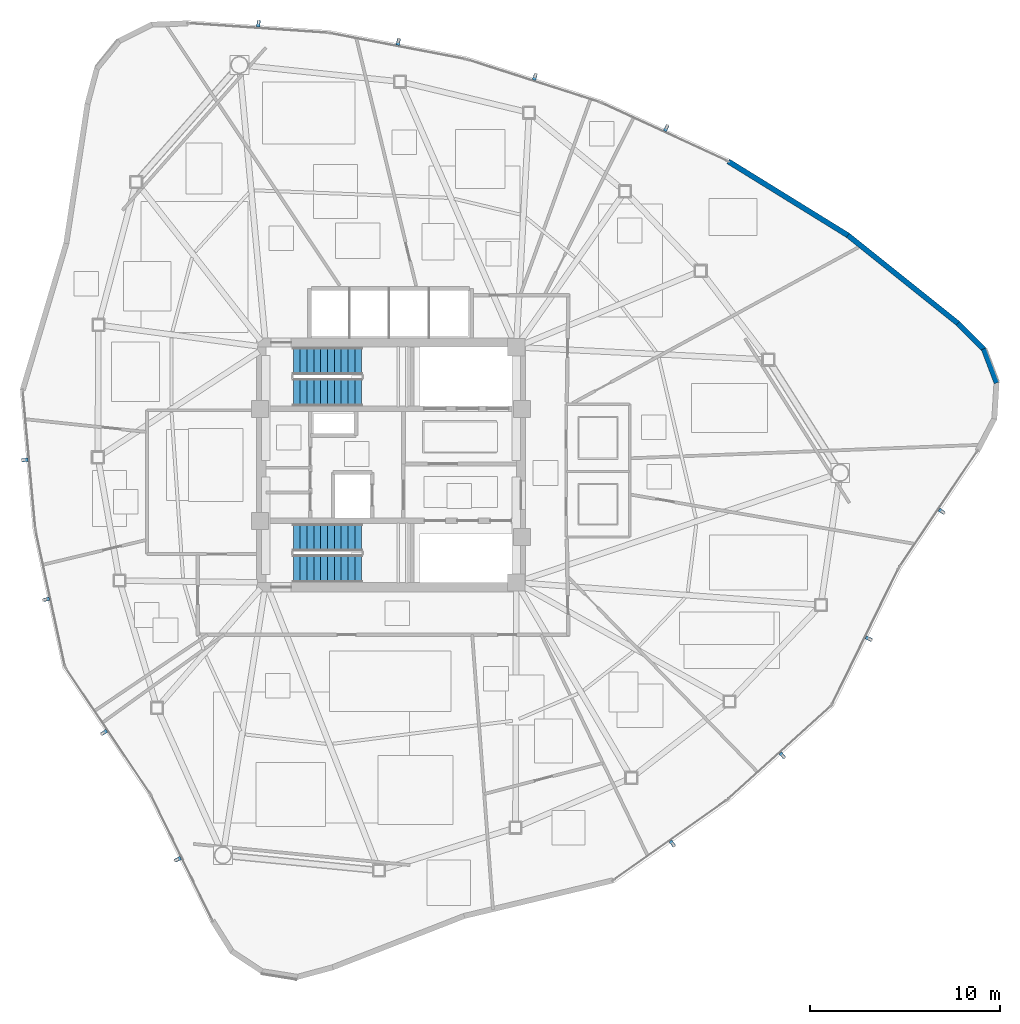
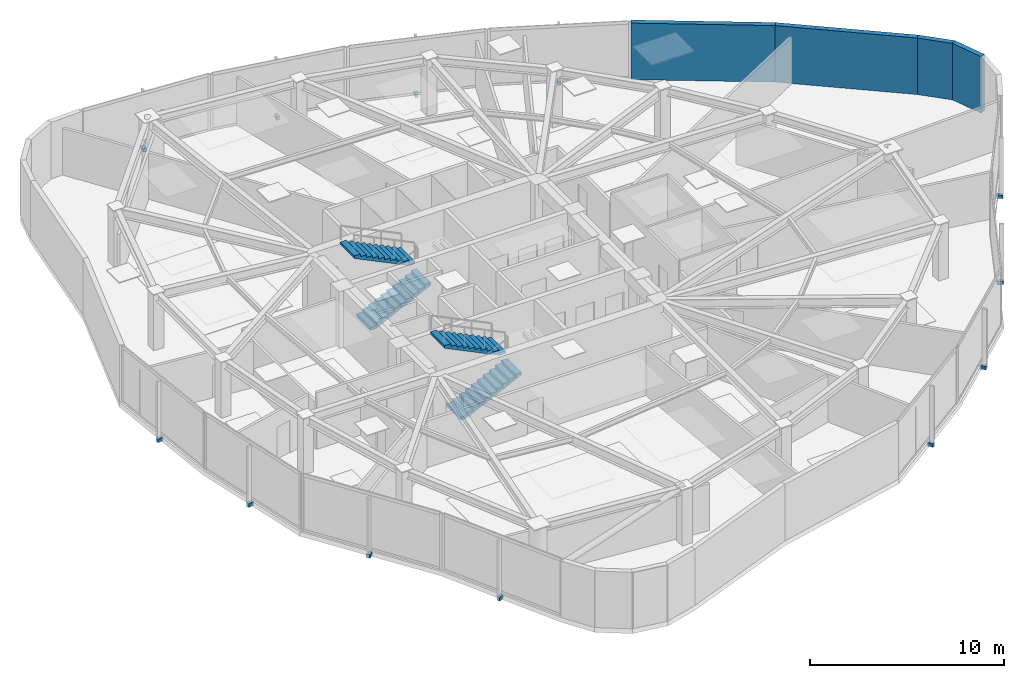
# One storey, part 13 of 17: 12 discrete accessories, 4 stair flights, 4 walls, 2 elements without a shape of their own.
"""IFC4 building model written with IfcOpenShell, lengths in metres."""

from ifc_helpers import new_model, si_unit, direction, frame, frame_2d, origin, origin_2d, place, context, subcontext, project, spatial, polyline, rectangle, outline, extrude, source, transform, mapped, material, layer, layer_set, type_object, type_shapes, element, aggregate, save


model = new_model("IFC4")

# Units and contexts
model_context = context("Model", 3, precision=1e-05, world=origin(), true_north=direction((0.0, 1.0)))
body_context = subcontext(model_context, "Body", "Model", "MODEL_VIEW")
ifc_project = project(units=[si_unit("LENGTHUNIT", "METRE"), si_unit("AREAUNIT", "SQUARE_METRE"), si_unit("VOLUMEUNIT", "CUBIC_METRE"), si_unit("PLANEANGLEUNIT", "RADIAN"), si_unit("MASSUNIT", "GRAM", prefix="KILO")], contexts=[model_context])

# Site, building, storey
site_placement = place(None, origin())
site = spatial("IfcSite", under=ifc_project, at=site_placement, CompositionType="ELEMENT")
building_placement = place(site_placement, origin())
building = spatial("IfcBuilding", under=site, at=building_placement, Name="Tavelor Broadcast Tower", CompositionType="ELEMENT")
storey_placement = place(building_placement, frame((0.0, 0.0, 196.449951171875)))
storey = spatial("IfcBuildingStorey", under=building, at=storey_placement, Name="L47", CompositionType="ELEMENT", Elevation=196.449951171875)

# Walls
ifc_material_1 = material(Name="Precast Concrete C40/50", Category="concrete")
ifc_layer = layer(ifc_material_1, 0.280029296875)
ifc_layer_set = layer_set([ifc_layer], Name="Precast Concrete C40/50")
wall_type = type_object("IfcWallType", Name="Insulated Precast Terracotta Facade Wall 280 mm", PredefinedType="STANDARD", material=ifc_layer_set)
wall_1_placement = place(storey_placement, frame((81.926513671875, 49.319580078125, 0.0), z_axis=(0.0, 0.0, 1.0), x_axis=(-0.355889766288, 0.934527941932, 0.0)))
element("IfcWall", 1, at=wall_1_placement, inside=storey, type_object=wall_type, Name="L47 Rounded Corner Structural Cladding Pier 23", PredefinedType="STANDARD", context=body_context, shape_type="SweptSolid", body=[
    extrude(rectangle(XDim=1.923583984375, YDim=0.280029296875, at=frame_2d((0.9619140625, 0.0))), origin(), (0.0, 0.0, 1.0), 3.550048828125),
])
wall_2_placement = place(storey_placement, frame((81.2578125, 51.092529296875, 0.0), z_axis=(0.0, 0.0, 1.0), x_axis=(-0.708861069534, 0.70534812972, 0.0)))
element("IfcWall", 2, at=wall_2_placement, inside=storey, type_object=wall_type, Name="L47 Rounded Corner Structural Cladding Pier 24", PredefinedType="STANDARD", context=body_context, shape_type="SweptSolid", body=[
    extrude(rectangle(XDim=1.946044921875, YDim=0.280029296875, at=frame_2d((0.97314453125, 0.0))), origin(), (0.0, 0.0, 1.0), 3.550048828125),
])
wall_3_placement = place(storey_placement, frame((79.900634765625, 52.445068359375, 0.0), z_axis=(0.0, 0.0, 1.0), x_axis=(-0.780676965022, 0.624934777624, 0.0)))
element("IfcWall", 3, at=wall_3_placement, inside=storey, type_object=wall_type, Name="L47 Rounded Corner Structural Cladding Pier 25", PredefinedType="STANDARD", context=body_context, shape_type="SweptSolid", body=[
    extrude(rectangle(XDim=7.45068359375, YDim=0.280029296875, at=frame_2d((3.725341796875, 0.0))), origin(), (0.0, 0.0, 1.0), 3.550048828125),
])
wall_4_placement = place(storey_placement, frame((74.1083984375, 57.083984375, 0.0), z_axis=(0.0, 0.0, 1.0), x_axis=(-0.850576953838, 0.525850592468, 0.0)))
element("IfcWall", 4, at=wall_4_placement, inside=storey, type_object=wall_type, Name="L47 Rounded Corner Structural Cladding Pier 26", PredefinedType="STANDARD", context=body_context, shape_type="SweptSolid", body=[
    extrude(rectangle(XDim=7.438720703125, YDim=0.280029296875, at=frame_2d((3.71923828125, 0.0))), origin(), (0.0, 0.0, 1.0), 3.550048828125),
])

# Stair, stair flights
ifc_material_2 = material(Name="Concrete C40/50", Category="concrete")
stair_type = type_object("IfcStairType", Name="Reinforced Concrete Protected Dogleg Stair 1450 mm", PredefinedType="HALF_TURN_STAIR", material=ifc_material_2)
stair_1_placement = place(storey_placement, origin())
stair_1 = element("IfcStair", 5, at=stair_1_placement, inside=storey, type_object=stair_type, Name="L47 Protected Core Exit Stair ST1", PredefinedType="HALF_TURN_STAIR")
stair_flight_type = type_object("IfcStairFlightType", Name="Reinforced Concrete Stair Flight 1450 mm", PredefinedType="STRAIGHT", material=ifc_material_2)
stair_flight_1_placement = place(storey_placement, frame((44.85009765625, 48.824951171875, 0.0), z_axis=(0.0, 0.0, 1.0), x_axis=(1.0, 0.0, 0.0)))
stair_flight_1 = element("IfcStairFlight", 6, at=stair_flight_1_placement, type_object=stair_flight_type, Name="ST1 flight 1", NumberOfRisers=11, NumberOfTreads=10, PredefinedType="STRAIGHT", RiserHeight=0.175, TreadLength=0.36, context=body_context, shape_type="SweptSolid", body=[
    extrude(outline(polyline([(0.0, 0.0), (0.0, 0.175048828125), (0.360107421875, 0.175048828125), (0.360107421875, 0.35009765625), (0.719970703125, 0.35009765625), (0.719970703125, 0.52490234375), (1.080078125, 0.52490234375), (1.080078125, 0.699951171875), (1.43994140625, 0.699951171875), (1.43994140625, 0.875), (1.800048828125, 0.875), (1.800048828125, 1.050048828125), (2.159912109375, 1.050048828125), (2.159912109375, 1.22509765625), (2.52001953125, 1.22509765625), (2.52001953125, 1.39990234375), (2.8798828125, 1.39990234375), (2.8798828125, 1.574951171875), (3.239990234375, 1.574951171875), (3.239990234375, 1.75), (3.60009765625, 1.75), (3.60009765625, 1.925048828125), (3.60009765625, 1.583251953125), (0.3427734375, 0.0), (0.0, 0.0)])), frame((0.0, 0.72509765625, 0.0), z_axis=(0.0, -1.0, 0.0), x_axis=(1.0, 0.0, 0.0)), (0.0, 0.0, 1.0), 1.449951171875),
])
stair_flight_2_placement = place(storey_placement, frame((48.449951171875, 50.47509765625, 1.925048828125), z_axis=(0.0, 0.0, 1.0), x_axis=(-1.0, 0.0, 0.0)))
stair_flight_2 = element("IfcStairFlight", 7, at=stair_flight_2_placement, type_object=stair_flight_type, Name="ST1 flight 2", NumberOfRisers=11, NumberOfTreads=10, PredefinedType="STRAIGHT", RiserHeight=0.175, TreadLength=0.36, context=body_context, shape_type="SweptSolid", body=[
    extrude(outline(polyline([(0.0, 0.0), (0.0, 0.175048828125), (0.360107421875, 0.175048828125), (0.360107421875, 0.35009765625), (0.719970703125, 0.35009765625), (0.719970703125, 0.52490234375), (1.080078125, 0.52490234375), (1.080078125, 0.699951171875), (1.43994140625, 0.699951171875), (1.43994140625, 0.875), (1.800048828125, 0.875), (1.800048828125, 1.050048828125), (2.159912109375, 1.050048828125), (2.159912109375, 1.22509765625), (2.52001953125, 1.22509765625), (2.52001953125, 1.39990234375), (2.8798828125, 1.39990234375), (2.8798828125, 1.574951171875), (3.239990234375, 1.574951171875), (3.239990234375, 1.75), (3.60009765625, 1.75), (3.60009765625, 1.925048828125), (3.60009765625, 1.583251953125), (0.3427734375, 0.0), (0.0, 0.0)])), frame((0.0, 0.72509765625, 0.0), z_axis=(0.0, -1.0, 0.0), x_axis=(1.0, 0.0, 0.0)), (0.0, 0.0, 1.0), 1.449951171875),
])
aggregate(stair_1, [stair_flight_1, stair_flight_2])

stair_2_placement = place(storey_placement, origin())
stair_2 = element("IfcStair", 8, at=stair_2_placement, inside=storey, type_object=stair_type, Name="L47 Protected Core Exit Stair ST2", PredefinedType="HALF_TURN_STAIR")
stair_flight_3_placement = place(storey_placement, frame((44.85009765625, 39.52490234375, 0.0), z_axis=(0.0, 0.0, 1.0), x_axis=(1.0, 0.0, 0.0)))
stair_flight_3 = element("IfcStairFlight", 9, at=stair_flight_3_placement, type_object=stair_flight_type, Name="ST2 flight 1", NumberOfRisers=11, NumberOfTreads=10, PredefinedType="STRAIGHT", RiserHeight=0.175, TreadLength=0.36, context=body_context, shape_type="SweptSolid", body=[
    extrude(outline(polyline([(0.0, 0.0), (0.0, 0.175048828125), (0.360107421875, 0.175048828125), (0.360107421875, 0.35009765625), (0.719970703125, 0.35009765625), (0.719970703125, 0.52490234375), (1.080078125, 0.52490234375), (1.080078125, 0.699951171875), (1.43994140625, 0.699951171875), (1.43994140625, 0.875), (1.800048828125, 0.875), (1.800048828125, 1.050048828125), (2.159912109375, 1.050048828125), (2.159912109375, 1.22509765625), (2.52001953125, 1.22509765625), (2.52001953125, 1.39990234375), (2.8798828125, 1.39990234375), (2.8798828125, 1.574951171875), (3.239990234375, 1.574951171875), (3.239990234375, 1.75), (3.60009765625, 1.75), (3.60009765625, 1.925048828125), (3.60009765625, 1.583251953125), (0.3427734375, 0.0), (0.0, 0.0)])), frame((0.0, 0.72509765625, 0.0), z_axis=(0.0, -1.0, 0.0), x_axis=(1.0, 0.0, 0.0)), (0.0, 0.0, 1.0), 1.449951171875),
])
stair_flight_4_placement = place(storey_placement, frame((48.449951171875, 41.175048828125, 1.925048828125), z_axis=(0.0, 0.0, 1.0), x_axis=(-1.0, 0.0, 0.0)))
stair_flight_4 = element("IfcStairFlight", 10, at=stair_flight_4_placement, type_object=stair_flight_type, Name="ST2 flight 2", NumberOfRisers=11, NumberOfTreads=10, PredefinedType="STRAIGHT", RiserHeight=0.175, TreadLength=0.36, context=body_context, shape_type="SweptSolid", body=[
    extrude(outline(polyline([(0.0, 0.0), (0.0, 0.175048828125), (0.360107421875, 0.175048828125), (0.360107421875, 0.35009765625), (0.719970703125, 0.35009765625), (0.719970703125, 0.52490234375), (1.080078125, 0.52490234375), (1.080078125, 0.699951171875), (1.43994140625, 0.699951171875), (1.43994140625, 0.875), (1.800048828125, 0.875), (1.800048828125, 1.050048828125), (2.159912109375, 1.050048828125), (2.159912109375, 1.22509765625), (2.52001953125, 1.22509765625), (2.52001953125, 1.39990234375), (2.8798828125, 1.39990234375), (2.8798828125, 1.574951171875), (3.239990234375, 1.574951171875), (3.239990234375, 1.75), (3.60009765625, 1.75), (3.60009765625, 1.925048828125), (3.60009765625, 1.583251953125), (0.3427734375, 0.0), (0.0, 0.0)])), frame((0.0, 0.72509765625, 0.0), z_axis=(0.0, -1.0, 0.0), x_axis=(1.0, 0.0, 0.0)), (0.0, 0.0, 1.0), 1.449951171875),
])
aggregate(stair_2, [stair_flight_3, stair_flight_4])

# Discrete accessories
ifc_material_3 = material(Name="Steel S355", Category="steel")
discrete_accessory_type = type_object("IfcDiscreteAccessoryType", Name="Stainless Baguette Outrigger Support Bracket 260x180", PredefinedType="BRACKET", material=ifc_material_3)
shared_shape = source(origin(), body_context, "Body", "SweptSolid", [
    extrude(rectangle(XDim=0.179931640625, YDim=0.340087890625, at=origin_2d()), origin(), (0.0, 0.0, 1.0), 0.216064453125),
])
type_shapes(discrete_accessory_type, [shared_shape])
for number, where, z_axis, x_axis, name in (
    (11, (30.69970703125, 45.25537109375, -0.2578125), (0.0, 0.0, 1.0), (0.090980203904, -0.995852701205, 0.0), "L47 Baguette Outrigger Bracket 493"),
    (12, (31.823974609375, 37.908203125, -0.2578125), (0.0, 0.0, 1.0), (0.210812993745, -0.977526409704, 0.0), "L47 Baguette Outrigger Bracket 494"),
    (13, (34.876220703125, 30.891357421875, -0.2578125), (0.0, 0.0, 1.0), (0.558179625922, -0.829720136676, 0.0), "L47 Baguette Outrigger Bracket 495"),
    (14, (38.761474609375, 24.206787109375, -0.2578125), (0.0, 0.0, 1.0), (0.4396256723, -0.898181088787, 0.0), "L47 Baguette Outrigger Bracket 496"),
    (15, (64.828857421875, 25.0400390625, -0.2578125), (0.0, 0.0, 1.0), (0.816943635719, 0.576717518425, 0.0), "L47 Baguette Outrigger Bracket 497"),
    (16, (70.629638671875, 29.687255859375, -0.2578125), (0.0, 0.0, 1.0), (0.741039025868, 0.671461958818, 0.0), "L47 Baguette Outrigger Bracket 498"),
    (17, (75.180419921875, 35.839111328125, -0.2578125), (0.0, 0.0, 1.0), (0.439468903432, 0.898257804261, 0.0), "L47 Baguette Outrigger Bracket 499"),
    (18, (79.026611328125, 42.546142578125, -0.2578125), (0.0, 0.0, 1.0), (0.558034803938, 0.829817544761, 0.0), "L47 Baguette Outrigger Bracket 500"),
    (19, (64.508544921875, 62.747802734375, -0.2578125), (0.0, 0.0, 1.0), (-0.907996978683, 0.418976713794, 0.0), "L47 Baguette Outrigger Bracket 501"),
    (20, (57.58349609375, 65.447998046875, -0.2578125), (0.0, 0.0, 1.0), (-0.951969200546, 0.306193796821, 0.0), "L47 Baguette Outrigger Bracket 502"),
    (21, (50.382568359375, 67.2900390625, -0.2578125), (0.0, 0.0, 1.0), (-0.98205758823, 0.188581264713, 0.0), "L47 Baguette Outrigger Bracket 503"),
    (22, (43.01171875, 68.247314453125, -0.2578125), (0.0, 0.0, 1.0), (-0.997660476238, 0.068363544026, 0.0), "L47 Baguette Outrigger Bracket 504"),
):
    element("IfcDiscreteAccessory", number, at=place(storey_placement, frame(where, z_axis=z_axis, x_axis=x_axis)), inside=storey, type_object=discrete_accessory_type, Name=name, PredefinedType="BRACKET", context=body_context, shape_type="MappedRepresentation", body=[
        mapped(shared_shape, transform((0.0, 0.0, 0.0), scale=1.0)),
    ])

save(model, "model.ifc")
